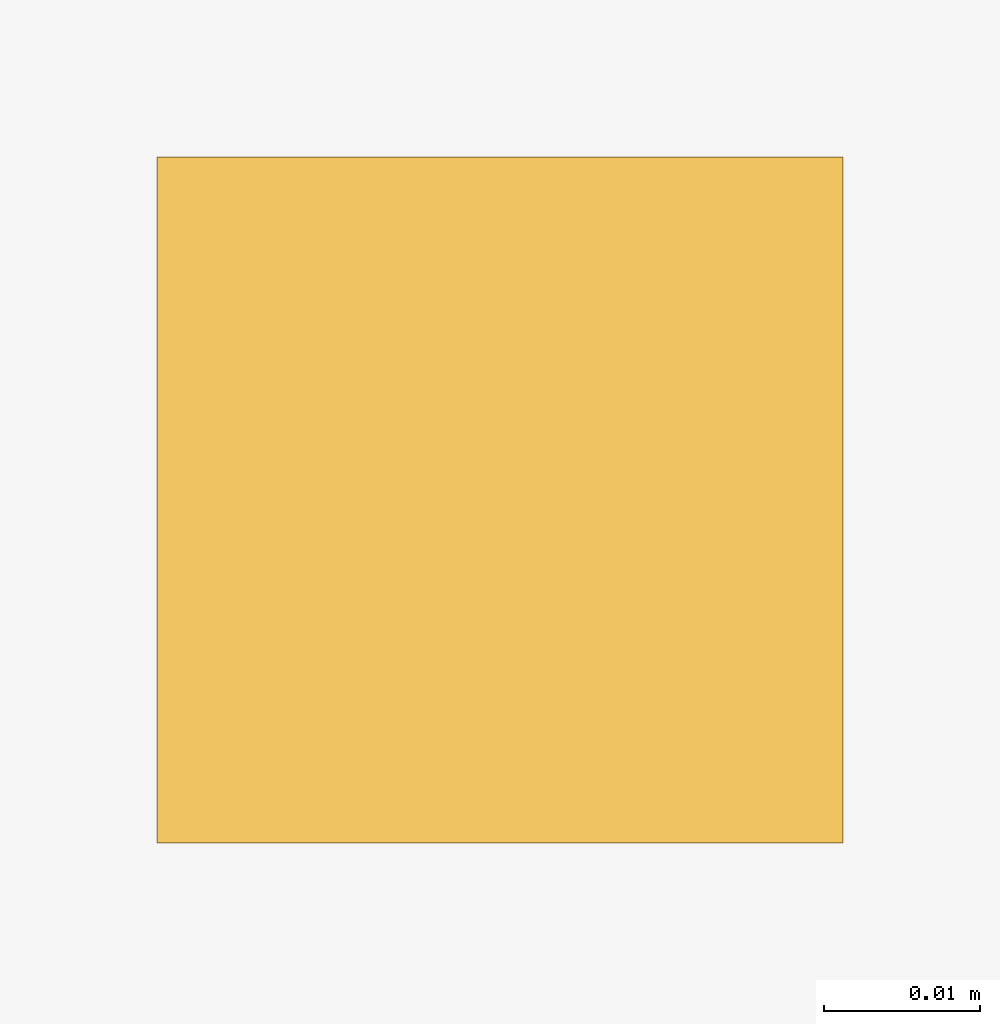
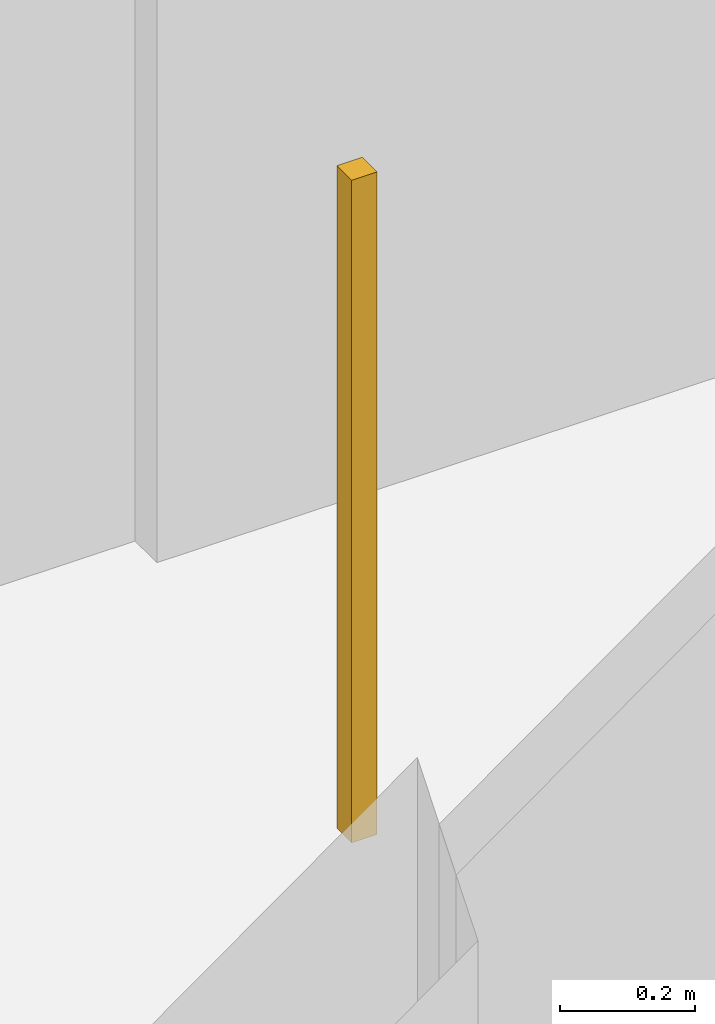
# One storey, part 8 of 10: 1 railing.
"""IFC4 building model written with IfcOpenShell, lengths in metres."""

from ifc_helpers import new_model, si_unit, direction, frame, origin, origin_2d, place, context, subcontext, project, spatial, rectangle, extrude, material, type_object, element, save


model = new_model("IFC4")

# Units and contexts
model_context = context("Model", 3, precision=1e-05, world=origin(), true_north=direction((0.0, 1.0)))
body_context = subcontext(model_context, "Body", "Model", "MODEL_VIEW")
ifc_project = project(units=[si_unit("LENGTHUNIT", "METRE"), si_unit("AREAUNIT", "SQUARE_METRE"), si_unit("VOLUMEUNIT", "CUBIC_METRE"), si_unit("PLANEANGLEUNIT", "RADIAN"), si_unit("MASSUNIT", "GRAM", prefix="KILO")], contexts=[model_context])

# Site, building, storey
site_placement = place(None, origin())
site = spatial("IfcSite", under=ifc_project, at=site_placement, CompositionType="ELEMENT")
building_placement = place(site_placement, origin())
building = spatial("IfcBuilding", under=site, at=building_placement, Name="Yunling Apex Tower", CompositionType="ELEMENT")
storey_placement = place(building_placement, frame((0.0, 0.0, 289.85009765625)))
storey = spatial("IfcBuildingStorey", under=building, at=storey_placement, Name="L70", CompositionType="ELEMENT", Elevation=289.85009765625)

# Railing
ifc_material = material(Name="Bronze anodised aluminium", Category="aluminium")
railing_type = type_object("IfcRailingType", Name="RL-BAL-1200", PredefinedType="BALUSTRADE", material=ifc_material)
railing_placement = place(storey_placement, origin())
element("IfcRailing", 1, at=railing_placement, inside=storey, type_object=railing_type, Name="RL-TATR-L70", PredefinedType="BALUSTRADE", context=body_context, shape_type="SweptSolid", body=[
    extrude(rectangle(XDim=0.0439453125, YDim=0.0439453125, at=origin_2d()), origin(), (0.0, 0.0, 1.0), 1.199951171875),
])

save(model, "model.ifc")
